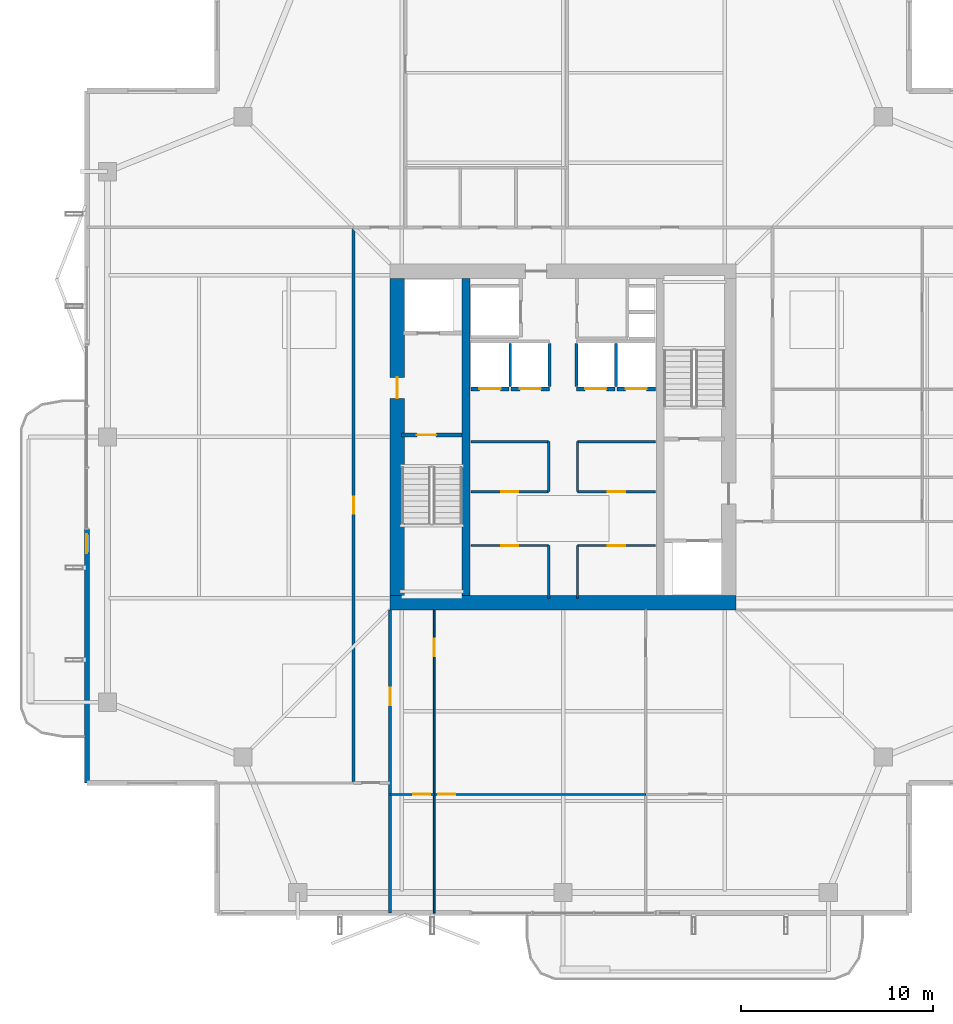
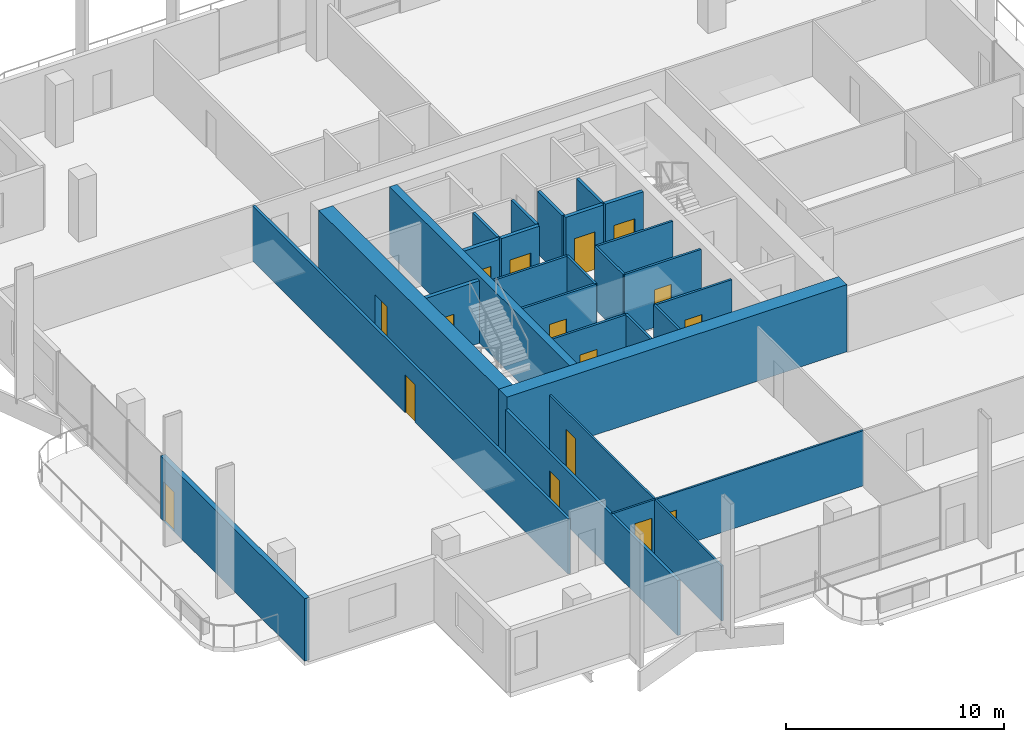
# One storey, part 18 of 25: 28 walls, 16 doors, 16 openings.
"""IFC4 building model written with IfcOpenShell, lengths in metres."""

from ifc_helpers import new_model, si_unit, direction, frame, frame_2d, origin, place, context, subcontext, project, spatial, rectangle, extrude, material, layer, layer_set, type_object, element, fill, save


model = new_model("IFC4")

# Units and contexts
model_context = context("Model", 3, precision=1e-05, world=origin(), true_north=direction((0.0, 1.0)))
body_context = subcontext(model_context, "Body", "Model", "MODEL_VIEW")
ifc_project = project(units=[si_unit("LENGTHUNIT", "METRE"), si_unit("AREAUNIT", "SQUARE_METRE"), si_unit("VOLUMEUNIT", "CUBIC_METRE"), si_unit("PLANEANGLEUNIT", "RADIAN"), si_unit("MASSUNIT", "GRAM", prefix="KILO")], contexts=[model_context])

# Site, building, storey
site_placement = place(None, origin())
site = spatial("IfcSite", under=ifc_project, at=site_placement, CompositionType="ELEMENT")
building_placement = place(site_placement, origin())
building = spatial("IfcBuilding", under=site, at=building_placement, Name="Belovzor Exchange Tower", CompositionType="ELEMENT")
storey_placement = place(building_placement, frame((0.0, 0.0, 250.35009765625)))
storey = spatial("IfcBuildingStorey", under=building, at=storey_placement, Name="L62", CompositionType="ELEMENT", Elevation=250.35009765625)

# Wall, opening, door
ifc_material_1 = material(Name="Acoustic Laminated Glass and Aluminium", Category="aluminium")
ifc_layer_1 = layer(ifc_material_1, 0.10009765625)
ifc_layer_set_1 = layer_set([ifc_layer_1], Name="Acoustic Laminated Glass and Aluminium")
wall_type_1 = type_object("IfcWallType", Name="Demountable Executive Glass Partition 100", PredefinedType="MOVABLE", material=ifc_layer_set_1)
wall_1_placement = place(storey_placement, frame((19.800048828125, 10.200927734375, 0.0), z_axis=(0.0, 0.0, 1.0), x_axis=(1.0, 0.0, 0.0)))
wall_1 = element("IfcWall", 1, at=wall_1_placement, inside=storey, type_object=wall_type_1, Name="W-M100 Partition Wall W-L62-SHDIV-0", PredefinedType="MOVABLE", context=body_context, shape_type="SweptSolid", body=[
    extrude(rectangle(XDim=2.300048828125, YDim=0.10009765625, at=frame_2d((1.14990234375, 0.0))), origin(), (0.0, 0.0, 1.0), 3.0849609375),
])
opening_1_placement = place(wall_1_placement, frame((1.199951171875, 0.0, 0.0)))
opening_1 = element("IfcOpeningElement", 2, at=opening_1_placement, cuts=wall_1, Name="Opening D-INT-090", PredefinedType="OPENING", context=body_context, shape_type="SweptSolid", body=[
    extrude(rectangle(XDim=0.89990234375, YDim=2.10009765625, at=frame_2d((0.449951171875, 1.050048828125))), frame((0.0, 0.06005859375, 0.0), z_axis=(0.0, -1.0, 0.0), x_axis=(1.0, 0.0, 0.0)), (0.0, 0.0, 1.0), 0.1201171875),
])
ifc_material_2 = material(Name="Veneered Hardwood Acoustic Leaf", Category="wood")
door_type_1 = type_object("IfcDoorType", Name="Trading Suite Acoustic Single Door 900x2100", OperationType="NOTDEFINED", PredefinedType="DOOR", material=ifc_material_2)
door_1_placement = place(opening_1_placement, origin())
door_1 = element("IfcDoor", 3, at=door_1_placement, inside=storey, type_object=door_type_1, Name="D-INT-090 Trading Suite Acoustic Single Door 900x2100", OperationType="SINGLE_SWING_LEFT", OverallHeight=2.10009765625, OverallWidth=0.89990234375, PredefinedType="DOOR", context=body_context, shape_type="SweptSolid", body=[
    extrude(rectangle(XDim=0.89990234375, YDim=2.10009765625, at=frame_2d((0.449951171875, 1.050048828125))), frame((0.0, 0.02490234375, 0.0), z_axis=(0.0, -1.0, 0.0), x_axis=(1.0, 0.0, 0.0)), (0.0, 0.0, 1.0), 0.050048828125),
])
fill(opening_1, door_1)

wall_2_placement = place(storey_placement, frame((22.10009765625, 4.030029296875, 0.0), z_axis=(0.0, 0.0, 1.0), x_axis=(0.0, 1.0, 0.0)))
wall_2 = element("IfcWall", 4, at=wall_2_placement, inside=storey, type_object=wall_type_1, Name="W-M100 Partition Wall W-L62-SDIV-1", PredefinedType="MOVABLE", context=body_context, shape_type="SweptSolid", body=[
    extrude(rectangle(XDim=15.77001953125, YDim=0.10009765625, at=frame_2d((7.885009765625, 0.0))), origin(), (0.0, 0.0, 1.0), 3.0849609375),
])
opening_2_placement = place(wall_2_placement, frame((13.3701171875, 0.0, 0.0)))
opening_2 = element("IfcOpeningElement", 5, at=opening_2_placement, cuts=wall_2, Name="Opening D-INT-090", PredefinedType="OPENING", context=body_context, shape_type="SweptSolid", body=[
    extrude(rectangle(XDim=0.89990234375, YDim=2.10009765625, at=frame_2d((0.449951171875, 1.050048828125))), frame((0.0, 0.06005859375, 0.0), z_axis=(0.0, -1.0, 0.0), x_axis=(1.0, 0.0, 0.0)), (0.0, 0.0, 1.0), 0.1201171875),
])
door_2_placement = place(opening_2_placement, origin())
door_2 = element("IfcDoor", 6, at=door_2_placement, inside=storey, type_object=door_type_1, Name="D-INT-090 Trading Suite Acoustic Single Door 900x2100", OperationType="SINGLE_SWING_LEFT", OverallHeight=2.10009765625, OverallWidth=0.89990234375, PredefinedType="DOOR", context=body_context, shape_type="SweptSolid", body=[
    extrude(rectangle(XDim=0.89990234375, YDim=2.10009765625, at=frame_2d((0.449951171875, 1.050048828125))), frame((0.0, 0.02490234375, 0.0), z_axis=(0.0, -1.0, 0.0), x_axis=(1.0, 0.0, 0.0)), (0.0, 0.0, 1.0), 0.050048828125),
])
fill(opening_2, door_2)

wall_3_placement = place(storey_placement, frame((22.10009765625, 10.200927734375, 0.0), z_axis=(0.0, 0.0, 1.0), x_axis=(1.0, 0.0, 0.0)))
wall_3 = element("IfcWall", 7, at=wall_3_placement, inside=storey, type_object=wall_type_1, Name="W-M100 Partition Wall W-L62-SHDIV-1", PredefinedType="MOVABLE", context=body_context, shape_type="SweptSolid", body=[
    extrude(rectangle(XDim=10.991943359375, YDim=0.10009765625, at=frame_2d((5.49609375, 0.0))), origin(), (0.0, 0.0, 1.0), 3.0849609375),
])
opening_3_placement = place(wall_3_placement, frame((0.199951171875, 0.0, 0.0)))
opening_3 = element("IfcOpeningElement", 8, at=opening_3_placement, cuts=wall_3, Name="Opening D-INT-090", PredefinedType="OPENING", context=body_context, shape_type="SweptSolid", body=[
    extrude(rectangle(XDim=0.89990234375, YDim=2.10009765625, at=frame_2d((0.449951171875, 1.050048828125))), frame((0.0, 0.06005859375, 0.0), z_axis=(0.0, -1.0, 0.0), x_axis=(1.0, 0.0, 0.0)), (0.0, 0.0, 1.0), 0.1201171875),
])
door_3_placement = place(opening_3_placement, origin())
door_3 = element("IfcDoor", 9, at=door_3_placement, inside=storey, type_object=door_type_1, Name="D-INT-090 Trading Suite Acoustic Single Door 900x2100", OperationType="SINGLE_SWING_LEFT", OverallHeight=2.10009765625, OverallWidth=0.89990234375, PredefinedType="DOOR", context=body_context, shape_type="SweptSolid", body=[
    extrude(rectangle(XDim=0.89990234375, YDim=2.10009765625, at=frame_2d((0.449951171875, 1.050048828125))), frame((0.0, 0.02490234375, 0.0), z_axis=(0.0, -1.0, 0.0), x_axis=(1.0, 0.0, 0.0)), (0.0, 0.0, 1.0), 0.050048828125),
])
fill(opening_3, door_3)

ifc_material_3 = material(Name="Fire-Rated Plasterboard on Galvanised Studs", Category="gypsum")
ifc_layer_2 = layer(ifc_material_3, 0.1201171875)
ifc_layer_set_2 = layer_set([ifc_layer_2], Name="Fire-Rated Plasterboard on Galvanised Studs")
wall_type_2 = type_object("IfcWallType", Name="Fire-Rated Double-Stud Partition Wall 120", PredefinedType="PARTITIONING", material=ifc_layer_set_2)
wall_4_placement = place(storey_placement, frame((24.0, 23.14990234375, 0.0), z_axis=(0.0, 0.0, 1.0), x_axis=(1.0, 0.0, 0.0)))
wall_4 = element("IfcWall", 10, at=wall_4_placement, inside=storey, type_object=wall_type_2, Name="W-P120F Partition Wall W-CRL-L62-WN", PredefinedType="PARTITIONING", context=body_context, shape_type="SweptSolid", body=[
    extrude(rectangle(XDim=4.050048828125, YDim=0.1201171875, at=frame_2d((2.02490234375, 0.0))), origin(), (0.0, 0.0, 1.0), 3.5),
])
opening_4_placement = place(wall_4_placement, frame((1.574951171875, 0.0, 0.0)))
opening_4 = element("IfcOpeningElement", 11, at=opening_4_placement, cuts=wall_4, Name="Opening D-FD60-090", PredefinedType="OPENING", context=body_context, shape_type="SweptSolid", body=[
    extrude(rectangle(XDim=0.89990234375, YDim=2.10009765625, at=frame_2d((0.449951171875, 1.050048828125))), frame((0.0, 0.070068359375, 0.0), z_axis=(0.0, -1.0, 0.0), x_axis=(1.0, 0.0, 0.0)), (0.0, 0.0, 1.0), 0.14013671875),
])
ifc_material_4 = material(Name="Acoustic Timber Fire Leaf", Category="wood")
door_type_2 = type_object("IfcDoorType", Name="Core Service & Restroom Fire Door 900x2100", OperationType="NOTDEFINED", PredefinedType="DOOR", material=ifc_material_4)
door_4_placement = place(opening_4_placement, origin())
door_4 = element("IfcDoor", 12, at=door_4_placement, inside=storey, type_object=door_type_2, Name="D-FD60-090 Core Service & Restroom Fire Door 900x2100", OperationType="SINGLE_SWING_LEFT", OverallHeight=2.10009765625, OverallWidth=0.89990234375, PredefinedType="DOOR", context=body_context, shape_type="SweptSolid", body=[
    extrude(rectangle(XDim=0.89990234375, YDim=2.10009765625, at=frame_2d((0.449951171875, 1.050048828125))), frame((0.0, 0.02490234375, 0.0), z_axis=(0.0, -1.0, 0.0), x_axis=(1.0, 0.0, 0.0)), (0.0, 0.0, 1.0), 0.050048828125),
])
fill(opening_4, door_4)

# Wall
wall_5_placement = place(storey_placement, frame((28.050048828125, 20.39990234375, 0.0), z_axis=(0.0, 0.0, 1.0), x_axis=(0.0, 1.0, 0.0)))
element("IfcWall", 13, at=wall_5_placement, inside=storey, type_object=wall_type_2, Name="W-P120F Partition Wall W-CRL-L62-WE", PredefinedType="PARTITIONING", context=body_context, shape_type="SweptSolid", body=[
    extrude(rectangle(XDim=2.75, YDim=0.1201171875, at=frame_2d((1.375, 0.0))), origin(), (0.0, 0.0, 1.0), 3.5),
])

# Wall, opening, door
wall_6_placement = place(storey_placement, frame((29.550048828125, 23.14990234375, 0.0), z_axis=(0.0, 0.0, 1.0), x_axis=(1.0, 0.0, 0.0)))
wall_6 = element("IfcWall", 14, at=wall_6_placement, inside=storey, type_object=wall_type_2, Name="W-P120F Partition Wall W-CRL-L62-EN", PredefinedType="PARTITIONING", context=body_context, shape_type="SweptSolid", body=[
    extrude(rectangle(XDim=4.050048828125, YDim=0.1201171875, at=frame_2d((2.02490234375, 0.0))), origin(), (0.0, 0.0, 1.0), 3.5),
])
opening_5_placement = place(wall_6_placement, frame((1.574951171875, 0.0, 0.0)))
opening_5 = element("IfcOpeningElement", 15, at=opening_5_placement, cuts=wall_6, Name="Opening D-FD60-090", PredefinedType="OPENING", context=body_context, shape_type="SweptSolid", body=[
    extrude(rectangle(XDim=0.89990234375, YDim=2.10009765625, at=frame_2d((0.449951171875, 1.050048828125))), frame((0.0, 0.070068359375, 0.0), z_axis=(0.0, -1.0, 0.0), x_axis=(1.0, 0.0, 0.0)), (0.0, 0.0, 1.0), 0.14013671875),
])
door_5_placement = place(opening_5_placement, origin())
door_5 = element("IfcDoor", 16, at=door_5_placement, inside=storey, type_object=door_type_2, Name="D-FD60-090 Core Service & Restroom Fire Door 900x2100", OperationType="SINGLE_SWING_RIGHT", OverallHeight=2.10009765625, OverallWidth=0.89990234375, PredefinedType="DOOR", context=body_context, shape_type="SweptSolid", body=[
    extrude(rectangle(XDim=0.89990234375, YDim=2.10009765625, at=frame_2d((0.449951171875, 1.050048828125))), frame((0.0, 0.02490234375, 0.0), z_axis=(0.0, -1.0, 0.0), x_axis=(1.0, 0.0, 0.0)), (0.0, 0.0, 1.0), 0.050048828125),
])
fill(opening_5, door_5)

# Wall
wall_7_placement = place(storey_placement, frame((29.550048828125, 20.39990234375, 0.0), z_axis=(0.0, 0.0, 1.0), x_axis=(0.0, 1.0, 0.0)))
element("IfcWall", 17, at=wall_7_placement, inside=storey, type_object=wall_type_2, Name="W-P120F Partition Wall W-CRL-L62-EW", PredefinedType="PARTITIONING", context=body_context, shape_type="SweptSolid", body=[
    extrude(rectangle(XDim=2.75, YDim=0.1201171875, at=frame_2d((1.375, 0.0))), origin(), (0.0, 0.0, 1.0), 3.5),
])

# Wall, opening, door
wall_8_placement = place(storey_placement, frame((24.0, 25.949951171875, 0.0), z_axis=(0.0, 0.0, 1.0), x_axis=(1.0, 0.0, 0.0)))
wall_8 = element("IfcWall", 18, at=wall_8_placement, inside=storey, type_object=wall_type_2, Name="W-P120F Partition Wall W-CRM-L62-WS", PredefinedType="PARTITIONING", context=body_context, shape_type="SweptSolid", body=[
    extrude(rectangle(XDim=4.050048828125, YDim=0.1201171875, at=frame_2d((2.02490234375, 0.0))), origin(), (0.0, 0.0, 1.0), 3.5),
])
opening_6_placement = place(wall_8_placement, frame((1.574951171875, 0.0, 0.0)))
opening_6 = element("IfcOpeningElement", 19, at=opening_6_placement, cuts=wall_8, Name="Opening D-FD60-090", PredefinedType="OPENING", context=body_context, shape_type="SweptSolid", body=[
    extrude(rectangle(XDim=0.89990234375, YDim=2.10009765625, at=frame_2d((0.449951171875, 1.050048828125))), frame((0.0, 0.070068359375, 0.0), z_axis=(0.0, -1.0, 0.0), x_axis=(1.0, 0.0, 0.0)), (0.0, 0.0, 1.0), 0.14013671875),
])
door_6_placement = place(opening_6_placement, origin())
door_6 = element("IfcDoor", 20, at=door_6_placement, inside=storey, type_object=door_type_2, Name="D-FD60-090 Core Service & Restroom Fire Door 900x2100", OperationType="SINGLE_SWING_LEFT", OverallHeight=2.10009765625, OverallWidth=0.89990234375, PredefinedType="DOOR", context=body_context, shape_type="SweptSolid", body=[
    extrude(rectangle(XDim=0.89990234375, YDim=2.10009765625, at=frame_2d((0.449951171875, 1.050048828125))), frame((0.0, 0.02490234375, 0.0), z_axis=(0.0, -1.0, 0.0), x_axis=(1.0, 0.0, 0.0)), (0.0, 0.0, 1.0), 0.050048828125),
])
fill(opening_6, door_6)

# Walls
wall_9_placement = place(storey_placement, frame((24.0, 28.550048828125, 0.0), z_axis=(0.0, 0.0, 1.0), x_axis=(1.0, 0.0, 0.0)))
element("IfcWall", 21, at=wall_9_placement, inside=storey, type_object=wall_type_2, Name="W-P120F Partition Wall W-CRM-L62-WN", PredefinedType="PARTITIONING", context=body_context, shape_type="SweptSolid", body=[
    extrude(rectangle(XDim=4.050048828125, YDim=0.1201171875, at=frame_2d((2.02490234375, 0.0))), origin(), (0.0, 0.0, 1.0), 3.5),
])
wall_10_placement = place(storey_placement, frame((28.050048828125, 25.949951171875, 0.0), z_axis=(0.0, 0.0, 1.0), x_axis=(0.0, 1.0, 0.0)))
element("IfcWall", 22, at=wall_10_placement, inside=storey, type_object=wall_type_2, Name="W-P120F Partition Wall W-CRM-L62-WE", PredefinedType="PARTITIONING", context=body_context, shape_type="SweptSolid", body=[
    extrude(rectangle(XDim=2.60009765625, YDim=0.1201171875, at=frame_2d((1.300048828125, 0.0))), origin(), (0.0, 0.0, 1.0), 3.5),
])

# Wall, opening, door
wall_11_placement = place(storey_placement, frame((29.550048828125, 25.949951171875, 0.0), z_axis=(0.0, 0.0, 1.0), x_axis=(1.0, 0.0, 0.0)))
wall_11 = element("IfcWall", 23, at=wall_11_placement, inside=storey, type_object=wall_type_2, Name="W-P120F Partition Wall W-CRM-L62-ES", PredefinedType="PARTITIONING", context=body_context, shape_type="SweptSolid", body=[
    extrude(rectangle(XDim=4.050048828125, YDim=0.1201171875, at=frame_2d((2.02490234375, 0.0))), origin(), (0.0, 0.0, 1.0), 3.5),
])
opening_7_placement = place(wall_11_placement, frame((1.574951171875, 0.0, 0.0)))
opening_7 = element("IfcOpeningElement", 24, at=opening_7_placement, cuts=wall_11, Name="Opening D-FD60-090", PredefinedType="OPENING", context=body_context, shape_type="SweptSolid", body=[
    extrude(rectangle(XDim=0.89990234375, YDim=2.10009765625, at=frame_2d((0.449951171875, 1.050048828125))), frame((0.0, 0.070068359375, 0.0), z_axis=(0.0, -1.0, 0.0), x_axis=(1.0, 0.0, 0.0)), (0.0, 0.0, 1.0), 0.14013671875),
])
door_7_placement = place(opening_7_placement, origin())
door_7 = element("IfcDoor", 25, at=door_7_placement, inside=storey, type_object=door_type_2, Name="D-FD60-090 Core Service & Restroom Fire Door 900x2100", OperationType="SINGLE_SWING_RIGHT", OverallHeight=2.10009765625, OverallWidth=0.89990234375, PredefinedType="DOOR", context=body_context, shape_type="SweptSolid", body=[
    extrude(rectangle(XDim=0.89990234375, YDim=2.10009765625, at=frame_2d((0.449951171875, 1.050048828125))), frame((0.0, 0.02490234375, 0.0), z_axis=(0.0, -1.0, 0.0), x_axis=(1.0, 0.0, 0.0)), (0.0, 0.0, 1.0), 0.050048828125),
])
fill(opening_7, door_7)

# Walls
wall_12_placement = place(storey_placement, frame((29.550048828125, 28.550048828125, 0.0), z_axis=(0.0, 0.0, 1.0), x_axis=(1.0, 0.0, 0.0)))
element("IfcWall", 26, at=wall_12_placement, inside=storey, type_object=wall_type_2, Name="W-P120F Partition Wall W-CRM-L62-EN", PredefinedType="PARTITIONING", context=body_context, shape_type="SweptSolid", body=[
    extrude(rectangle(XDim=4.050048828125, YDim=0.1201171875, at=frame_2d((2.02490234375, 0.0))), origin(), (0.0, 0.0, 1.0), 3.5),
])
wall_13_placement = place(storey_placement, frame((29.550048828125, 25.949951171875, 0.0), z_axis=(0.0, 0.0, 1.0), x_axis=(0.0, 1.0, 0.0)))
element("IfcWall", 27, at=wall_13_placement, inside=storey, type_object=wall_type_2, Name="W-P120F Partition Wall W-CRM-L62-EW", PredefinedType="PARTITIONING", context=body_context, shape_type="SweptSolid", body=[
    extrude(rectangle(XDim=2.60009765625, YDim=0.1201171875, at=frame_2d((1.300048828125, 0.0))), origin(), (0.0, 0.0, 1.0), 3.5),
])

# Wall, opening, door
ifc_material_5 = material(Name="Fire-Rated Gypsum Block and Mineral Wool", Category="gypsum")
ifc_layer_3 = layer(ifc_material_5, 0.14990234375)
ifc_layer_set_3 = layer_set([ifc_layer_3], Name="Fire-Rated Gypsum Block and Mineral Wool")
wall_type_3 = type_object("IfcWallType", Name="Fire-Rated Gypsum Block Corridor Wall 150", PredefinedType="PARTITIONING", material=ifc_layer_set_3)
wall_14_placement = place(storey_placement, frame((19.800048828125, 4.030029296875, 0.0), z_axis=(0.0, 0.0, 1.0), x_axis=(0.0, 1.0, 0.0)))
wall_14 = element("IfcWall", 28, at=wall_14_placement, inside=storey, type_object=wall_type_3, Name="W-P150 Partition Wall W-L62-CW-E", PredefinedType="PARTITIONING", context=body_context, shape_type="SweptSolid", body=[
    extrude(rectangle(XDim=15.77001953125, YDim=0.14990234375, at=frame_2d((7.885009765625, 0.0))), origin(), (0.0, 0.0, 1.0), 3.0849609375),
])
opening_8_placement = place(wall_14_placement, frame((10.820068359375, 0.0, 0.0)))
opening_8 = element("IfcOpeningElement", 29, at=opening_8_placement, cuts=wall_14, Name="Opening D-FD60-090", PredefinedType="OPENING", context=body_context, shape_type="SweptSolid", body=[
    extrude(rectangle(XDim=0.89990234375, YDim=2.10009765625, at=frame_2d((0.449951171875, 1.050048828125))), frame((0.0, 0.0849609375, 0.0), z_axis=(0.0, -1.0, 0.0), x_axis=(1.0, 0.0, 0.0)), (0.0, 0.0, 1.0), 0.169921875),
])
door_8_placement = place(opening_8_placement, origin())
door_8 = element("IfcDoor", 30, at=door_8_placement, inside=storey, type_object=door_type_2, Name="D-FD60-090 Core Service & Restroom Fire Door 900x2100", OperationType="SINGLE_SWING_RIGHT", OverallHeight=2.10009765625, OverallWidth=0.89990234375, PredefinedType="DOOR", context=body_context, shape_type="SweptSolid", body=[
    extrude(rectangle(XDim=0.89990234375, YDim=2.10009765625, at=frame_2d((0.449951171875, 1.050048828125))), frame((0.0, 0.02490234375, 0.0), z_axis=(0.0, -1.0, 0.0), x_axis=(1.0, 0.0, 0.0)), (0.0, 0.0, 1.0), 0.050048828125),
])
fill(opening_8, door_8)

wall_15_placement = place(storey_placement, frame((17.89990234375, 10.800048828125, 0.0), z_axis=(0.0, 0.0, 1.0), x_axis=(0.0, 1.0, 0.0)))
wall_15 = element("IfcWall", 31, at=wall_15_placement, inside=storey, type_object=wall_type_3, Name="W-P150 Partition Wall W-L62-CW", PredefinedType="PARTITIONING", context=body_context, shape_type="SweptSolid", body=[
    extrude(rectangle(XDim=28.89990234375, YDim=0.14990234375, at=frame_2d((14.449951171875, 0.0))), origin(), (0.0, 0.0, 1.0), 3.0849609375),
])
opening_9_placement = place(wall_15_placement, frame((14.0, 0.0, 0.0)))
opening_9 = element("IfcOpeningElement", 32, at=opening_9_placement, cuts=wall_15, Name="Opening D-INT-090", PredefinedType="OPENING", context=body_context, shape_type="SweptSolid", body=[
    extrude(rectangle(XDim=0.89990234375, YDim=2.10009765625, at=frame_2d((0.449951171875, 1.050048828125))), frame((0.0, 0.0849609375, 0.0), z_axis=(0.0, -1.0, 0.0), x_axis=(1.0, 0.0, 0.0)), (0.0, 0.0, 1.0), 0.169921875),
])
door_9_placement = place(opening_9_placement, origin())
door_9 = element("IfcDoor", 33, at=door_9_placement, inside=storey, type_object=door_type_1, Name="D-INT-090 Trading Suite Acoustic Single Door 900x2100", OperationType="SINGLE_SWING_LEFT", OverallHeight=2.10009765625, OverallWidth=0.89990234375, PredefinedType="DOOR", context=body_context, shape_type="SweptSolid", body=[
    extrude(rectangle(XDim=0.89990234375, YDim=2.10009765625, at=frame_2d((0.449951171875, 1.050048828125))), frame((0.0, 0.02490234375, 0.0), z_axis=(0.0, -1.0, 0.0), x_axis=(1.0, 0.0, 0.0)), (0.0, 0.0, 1.0), 0.050048828125),
])
fill(opening_9, door_9)

ifc_material_6 = material(Name="Precast concrete C40/50", Category="concrete")
ifc_layer_4 = layer(ifc_material_6, 0.260009765625)
ifc_layer_set_4 = layer_set([ifc_layer_4], Name="Precast concrete C40/50")
wall_type_4 = type_object("IfcWallType", Name="Precast Concrete Perimeter Loggia Frame Wall 260", PredefinedType="SOLIDWALL", material=ifc_layer_set_4)
wall_16_placement = place(storey_placement, frame((4.030029296875, 10.800048828125, 0.0), z_axis=(0.0, 0.0, 1.0), x_axis=(0.0, 1.0, 0.0)))
wall_16 = element("IfcWall", 34, at=wall_16_placement, inside=storey, type_object=wall_type_4, Name="W-EXT260 Precast Concrete Perimeter Loggia Frame Wall 260 L62", PredefinedType="SOLIDWALL", context=body_context, shape_type="SweptSolid", body=[
    extrude(rectangle(XDim=13.199951171875, YDim=0.260009765625, at=frame_2d((6.60009765625, 0.0))), origin(), (0.0, 0.0, 1.0), 3.5),
])
opening_10_placement = place(wall_16_placement, frame((11.949951171875, 0.0, 0.0)))
opening_10 = element("IfcOpeningElement", 35, at=opening_10_placement, cuts=wall_16, Name="Opening D-BAL100", PredefinedType="OPENING", context=body_context, shape_type="SweptSolid", body=[
    extrude(rectangle(XDim=1.0, YDim=2.199951171875, at=frame_2d((0.5, 1.10009765625))), frame((0.0, 0.139892578125, 0.0), z_axis=(0.0, -1.0, 0.0), x_axis=(1.0, 0.0, 0.0)), (0.0, 0.0, 1.0), 0.280029296875),
])
ifc_material_7 = material(Name="Thermally Broken Anodised Aluminium and Laminated Glass", Category="aluminium")
door_type_3 = type_object("IfcDoorType", Name="Planted Loggia Terrace Glazed Door 1000x2200", OperationType="SINGLE_SWING_LEFT", PredefinedType="DOOR", material=ifc_material_7)
door_10_placement = place(opening_10_placement, origin())
door_10 = element("IfcDoor", 36, at=door_10_placement, inside=storey, type_object=door_type_3, Name="D-BAL100 Balcony Terrace Door L62 W", OperationType="SINGLE_SWING_RIGHT", OverallHeight=2.199951171875, OverallWidth=1.0, PredefinedType="DOOR", context=body_context, shape_type="SweptSolid", body=[
    extrude(rectangle(XDim=1.0, YDim=2.199951171875, at=frame_2d((0.5, 1.10009765625))), frame((0.0, 0.02490234375, 0.0), z_axis=(0.0, -1.0, 0.0), x_axis=(1.0, 0.0, 0.0)), (0.0, 0.0, 1.0), 0.050048828125),
])
fill(opening_10, door_10)

# Walls
ifc_material_8 = material(Name="Concrete C50/60", Category="concrete")
ifc_layer_5 = layer(ifc_material_8, 0.39990234375)
ifc_layer_set_5 = layer_set([ifc_layer_5], Name="Concrete C50/60")
wall_type_5 = type_object("IfcWallType", Name="Reinforced Concrete Core Internal Web Wall 400", PredefinedType="SHEAR", material=ifc_layer_set_5)
wall_17_placement = place(storey_placement, frame((23.75, 20.550048828125, 0.0), z_axis=(0.0, 0.0, 1.0), x_axis=(0.0, 1.0, 0.0)))
element("IfcWall", 37, at=wall_17_placement, inside=storey, type_object=wall_type_5, Name="CW-W040 Core Internal Web Wall L62 WL", PredefinedType="SHEAR", context=body_context, shape_type="SweptSolid", body=[
    extrude(rectangle(XDim=16.5, YDim=0.39990234375, at=frame_2d((8.25, 0.0))), origin(), (0.0, 0.0, 1.0), 3.75),
])
ifc_material_9 = material(Name="Concrete C50/60", Category="concrete")
ifc_layer_6 = layer(ifc_material_9, 0.14990234375)
ifc_layer_set_6 = layer_set([ifc_layer_6], Name="Concrete C50/60")
wall_type_6 = type_object("IfcWallType", Name="Reinforced Concrete Core Riser Shear Wall 150", PredefinedType="SHEAR", material=ifc_layer_set_6)
for number, where, z_axis, x_axis, name in (
    (38, (26.050048828125, 31.419921875, 0.0), (0.0, 0.0, 1.0), (0.0, 1.0, 0.0), "W-C150S Core Shaft Wall W-SHD-L62-PLH-1"),
    (39, (28.10009765625, 31.419921875, 0.0), (0.0, 0.0, 1.0), (0.0, 1.0, 0.0), "W-C150S Core Shaft Wall W-SHD-L62-PLH-2"),
    (40, (29.5, 31.419921875, 0.0), (0.0, 0.0, 1.0), (0.0, 1.0, 0.0), "W-C150S Core Shaft Wall W-SHD-L62-PLH-3"),
    (41, (31.550048828125, 31.419921875, 0.0), (0.0, 0.0, 1.0), (0.0, 1.0, 0.0), "W-C150S Core Shaft Wall W-SHD-L62-PLH-4"),
):
    element("IfcWall", number, at=place(storey_placement, frame(where, z_axis=z_axis, x_axis=x_axis)), inside=storey, type_object=wall_type_6, Name=name, PredefinedType="SHEAR", context=body_context, shape_type="SweptSolid", body=[
        extrude(rectangle(XDim=2.239990234375, YDim=0.14990234375, at=frame_2d((1.1201171875, 0.0))), origin(), (0.0, 0.0, 1.0), 3.5),
    ])

# Wall, opening, door
ifc_material_10 = material(Name="Concrete C50/60", Category="concrete")
ifc_layer_7 = layer(ifc_material_10, 0.199951171875)
ifc_layer_set_7 = layer_set([ifc_layer_7], Name="Concrete C50/60")
wall_type_7 = type_object("IfcWallType", Name="Reinforced Concrete Core Shaft Shear Wall 200", PredefinedType="SHEAR", material=ifc_layer_set_7)
wall_18_placement = place(storey_placement, frame((20.39990234375, 28.89990234375, 0.0), z_axis=(0.0, 0.0, 1.0), x_axis=(1.0, 0.0, 0.0)))
wall_18 = element("IfcWall", 42, at=wall_18_placement, inside=storey, type_object=wall_type_7, Name="W-C200S Core Shaft Wall W-CORE-L62-FFLW1", PredefinedType="SHEAR", context=body_context, shape_type="SweptSolid", body=[
    extrude(rectangle(XDim=3.150146484375, YDim=0.199951171875, at=frame_2d((1.5751953125, 0.0))), origin(), (0.0, 0.0, 1.0), 3.5),
])
opening_11_placement = place(wall_18_placement, frame((0.800048828125, 0.0, 0.0)))
opening_11 = element("IfcOpeningElement", 43, at=opening_11_placement, cuts=wall_18, Name="Opening D-FD90-100", PredefinedType="OPENING", context=body_context, shape_type="SweptSolid", body=[
    extrude(rectangle(XDim=1.0, YDim=2.10009765625, at=frame_2d((0.5, 1.050048828125))), frame((0.0, 0.10986328125, 0.0), z_axis=(0.0, -1.0, 0.0), x_axis=(1.0, 0.0, 0.0)), (0.0, 0.0, 1.0), 0.219970703125),
])
ifc_material_11 = material(Name="Fire-Rated Galvanised Steel Leaf", Category="steel")
door_type_4 = type_object("IfcDoorType", Name="Protected Stairwell Single Fire Door 1000x2100", OperationType="NOTDEFINED", PredefinedType="DOOR", material=ifc_material_11)
door_11_placement = place(opening_11_placement, origin())
door_11 = element("IfcDoor", 44, at=door_11_placement, inside=storey, type_object=door_type_4, Name="D-FD90-100 Protected Stairwell Single Fire Door 1000x2100", OperationType="SINGLE_SWING_RIGHT", OverallHeight=2.10009765625, OverallWidth=1.0, PredefinedType="DOOR", context=body_context, shape_type="SweptSolid", body=[
    extrude(rectangle(XDim=1.0, YDim=2.10009765625, at=frame_2d((0.5, 1.050048828125))), frame((0.0, 0.02490234375, 0.0), z_axis=(0.0, -1.0, 0.0), x_axis=(1.0, 0.0, 0.0)), (0.0, 0.0, 1.0), 0.050048828125),
])
fill(opening_11, door_11)

wall_19_placement = place(storey_placement, frame((24.0, 31.300048828125, 0.0), z_axis=(0.0, 0.0, 1.0), x_axis=(1.0, 0.0, 0.0)))
wall_19 = element("IfcWall", 45, at=wall_19_placement, inside=storey, type_object=wall_type_7, Name="W-C200S Core Shaft Wall W-SH-L62-PL-H1", PredefinedType="SHEAR", context=body_context, shape_type="SweptSolid", body=[
    extrude(rectangle(XDim=2.0, YDim=0.199951171875, at=frame_2d((1.0, 0.0))), origin(), (0.0, 0.0, 1.0), 3.5),
])
opening_12_placement = place(wall_19_placement, frame((0.449951171875, 0.0, 0.0)))
opening_12 = element("IfcOpeningElement", 46, at=opening_12_placement, cuts=wall_19, Name="Opening LD-110", PredefinedType="OPENING", context=body_context, shape_type="SweptSolid", body=[
    extrude(rectangle(XDim=1.10009765625, YDim=2.14990234375, at=frame_2d((0.550048828125, 1.074951171875))), frame((0.0, 0.10986328125, 0.0), z_axis=(0.0, -1.0, 0.0), x_axis=(1.0, 0.0, 0.0)), (0.0, 0.0, 1.0), 0.219970703125),
])
ifc_material_12 = material(Name="Stainless Steel Grade 304", Category="steel")
door_type_5 = type_object("IfcDoorType", Name="Automated Stainless Steel Lift Landing Door 1100x2150", OperationType="SLIDING_TO_RIGHT", PredefinedType="DOOR", material=ifc_material_12)
door_12_placement = place(opening_12_placement, origin())
door_12 = element("IfcDoor", 47, at=door_12_placement, inside=storey, type_object=door_type_5, Name="LD-110 Automated Stainless Steel Lift Landing Door 1100x2150", OperationType="SLIDING_TO_RIGHT", OverallHeight=2.14990234375, OverallWidth=1.10009765625, PredefinedType="DOOR", context=body_context, shape_type="SweptSolid", body=[
    extrude(rectangle(XDim=1.10009765625, YDim=2.14990234375, at=frame_2d((0.550048828125, 1.074951171875))), frame((0.0, 0.02490234375, 0.0), z_axis=(0.0, -1.0, 0.0), x_axis=(1.0, 0.0, 0.0)), (0.0, 0.0, 1.0), 0.050048828125),
])
fill(opening_12, door_12)

wall_20_placement = place(storey_placement, frame((26.10009765625, 31.300048828125, 0.0), z_axis=(0.0, 0.0, 1.0), x_axis=(1.0, 0.0, 0.0)))
wall_20 = element("IfcWall", 48, at=wall_20_placement, inside=storey, type_object=wall_type_7, Name="W-C200S Core Shaft Wall W-SH-L62-PL-H2", PredefinedType="SHEAR", context=body_context, shape_type="SweptSolid", body=[
    extrude(rectangle(XDim=2.0, YDim=0.199951171875, at=frame_2d((1.0, 0.0))), origin(), (0.0, 0.0, 1.0), 3.5),
])
opening_13_placement = place(wall_20_placement, frame((0.449951171875, 0.0, 0.0)))
opening_13 = element("IfcOpeningElement", 49, at=opening_13_placement, cuts=wall_20, Name="Opening LD-110", PredefinedType="OPENING", context=body_context, shape_type="SweptSolid", body=[
    extrude(rectangle(XDim=1.10009765625, YDim=2.14990234375, at=frame_2d((0.550048828125, 1.074951171875))), frame((0.0, 0.10986328125, 0.0), z_axis=(0.0, -1.0, 0.0), x_axis=(1.0, 0.0, 0.0)), (0.0, 0.0, 1.0), 0.219970703125),
])
door_13_placement = place(opening_13_placement, origin())
door_13 = element("IfcDoor", 50, at=door_13_placement, inside=storey, type_object=door_type_5, Name="LD-110 Automated Stainless Steel Lift Landing Door 1100x2150", OperationType="SLIDING_TO_RIGHT", OverallHeight=2.14990234375, OverallWidth=1.10009765625, PredefinedType="DOOR", context=body_context, shape_type="SweptSolid", body=[
    extrude(rectangle(XDim=1.10009765625, YDim=2.14990234375, at=frame_2d((0.550048828125, 1.074951171875))), frame((0.0, 0.02490234375, 0.0), z_axis=(0.0, -1.0, 0.0), x_axis=(1.0, 0.0, 0.0)), (0.0, 0.0, 1.0), 0.050048828125),
])
fill(opening_13, door_13)

wall_21_placement = place(storey_placement, frame((29.5, 31.300048828125, 0.0), z_axis=(0.0, 0.0, 1.0), x_axis=(1.0, 0.0, 0.0)))
wall_21 = element("IfcWall", 51, at=wall_21_placement, inside=storey, type_object=wall_type_7, Name="W-C200S Core Shaft Wall W-SH-L62-PL-H3", PredefinedType="SHEAR", context=body_context, shape_type="SweptSolid", body=[
    extrude(rectangle(XDim=2.0, YDim=0.199951171875, at=frame_2d((1.0, 0.0))), origin(), (0.0, 0.0, 1.0), 3.5),
])
opening_14_placement = place(wall_21_placement, frame((0.449951171875, 0.0, 0.0)))
opening_14 = element("IfcOpeningElement", 52, at=opening_14_placement, cuts=wall_21, Name="Opening LD-110", PredefinedType="OPENING", context=body_context, shape_type="SweptSolid", body=[
    extrude(rectangle(XDim=1.10009765625, YDim=2.14990234375, at=frame_2d((0.550048828125, 1.074951171875))), frame((0.0, 0.10986328125, 0.0), z_axis=(0.0, -1.0, 0.0), x_axis=(1.0, 0.0, 0.0)), (0.0, 0.0, 1.0), 0.219970703125),
])
door_14_placement = place(opening_14_placement, origin())
door_14 = element("IfcDoor", 53, at=door_14_placement, inside=storey, type_object=door_type_5, Name="LD-110 Automated Stainless Steel Lift Landing Door 1100x2150", OperationType="SLIDING_TO_RIGHT", OverallHeight=2.14990234375, OverallWidth=1.10009765625, PredefinedType="DOOR", context=body_context, shape_type="SweptSolid", body=[
    extrude(rectangle(XDim=1.10009765625, YDim=2.14990234375, at=frame_2d((0.550048828125, 1.074951171875))), frame((0.0, 0.02490234375, 0.0), z_axis=(0.0, -1.0, 0.0), x_axis=(1.0, 0.0, 0.0)), (0.0, 0.0, 1.0), 0.050048828125),
])
fill(opening_14, door_14)

wall_22_placement = place(storey_placement, frame((31.60009765625, 31.300048828125, 0.0), z_axis=(0.0, 0.0, 1.0), x_axis=(1.0, 0.0, 0.0)))
wall_22 = element("IfcWall", 54, at=wall_22_placement, inside=storey, type_object=wall_type_7, Name="W-C200S Core Shaft Wall W-SH-L62-PL-H4", PredefinedType="SHEAR", context=body_context, shape_type="SweptSolid", body=[
    extrude(rectangle(XDim=2.0, YDim=0.199951171875, at=frame_2d((1.0, 0.0))), origin(), (0.0, 0.0, 1.0), 3.5),
])
opening_15_placement = place(wall_22_placement, frame((0.449951171875, 0.0, 0.0)))
opening_15 = element("IfcOpeningElement", 55, at=opening_15_placement, cuts=wall_22, Name="Opening LD-110", PredefinedType="OPENING", context=body_context, shape_type="SweptSolid", body=[
    extrude(rectangle(XDim=1.10009765625, YDim=2.14990234375, at=frame_2d((0.550048828125, 1.074951171875))), frame((0.0, 0.10986328125, 0.0), z_axis=(0.0, -1.0, 0.0), x_axis=(1.0, 0.0, 0.0)), (0.0, 0.0, 1.0), 0.219970703125),
])
door_15_placement = place(opening_15_placement, origin())
door_15 = element("IfcDoor", 56, at=door_15_placement, inside=storey, type_object=door_type_5, Name="LD-110 Automated Stainless Steel Lift Landing Door 1100x2150", OperationType="SLIDING_TO_RIGHT", OverallHeight=2.14990234375, OverallWidth=1.10009765625, PredefinedType="DOOR", context=body_context, shape_type="SweptSolid", body=[
    extrude(rectangle(XDim=1.10009765625, YDim=2.14990234375, at=frame_2d((0.550048828125, 1.074951171875))), frame((0.0, 0.02490234375, 0.0), z_axis=(0.0, -1.0, 0.0), x_axis=(1.0, 0.0, 0.0)), (0.0, 0.0, 1.0), 0.050048828125),
])
fill(opening_15, door_15)

# Wall
ifc_material_13 = material(Name="Concrete C50/60", Category="concrete")
ifc_layer_8 = layer(ifc_material_13, 0.75)
ifc_layer_set_8 = layer_set([ifc_layer_8], Name="Concrete C50/60")
wall_type_8 = type_object("IfcWallType", Name="Reinforced Concrete Core Shear Wall 750", PredefinedType="SHEAR", material=ifc_layer_set_8)
wall_23_placement = place(storey_placement, frame((19.800048828125, 20.175048828125, 0.0), z_axis=(0.0, 0.0, 1.0), x_axis=(1.0, 0.0, 0.0)))
element("IfcWall", 57, at=wall_23_placement, inside=storey, type_object=wall_type_8, Name="CW-S075 Core Shear Wall L62 S", PredefinedType="SHEAR", context=body_context, shape_type="SweptSolid", body=[
    extrude(rectangle(XDim=18.0, YDim=0.75, at=frame_2d((9.0, 0.0))), origin(), (0.0, 0.0, 1.0), 3.75),
])

# Wall, opening, door
wall_24_placement = place(storey_placement, frame((20.175048828125, 20.550048828125, 0.0), z_axis=(0.0, 0.0, 1.0), x_axis=(0.0, 1.0, 0.0)))
wall_24 = element("IfcWall", 58, at=wall_24_placement, inside=storey, type_object=wall_type_8, Name="CW-S075 Core Shear Wall L62 W", PredefinedType="SHEAR", context=body_context, shape_type="SweptSolid", body=[
    extrude(rectangle(XDim=16.5, YDim=0.75, at=frame_2d((8.25, 0.0))), origin(), (0.0, 0.0, 1.0), 3.75),
])
opening_16_placement = place(wall_24_placement, frame((10.25, 0.0, 0.0)))
opening_16 = element("IfcOpeningElement", 59, at=opening_16_placement, cuts=wall_24, Name="Opening D-FD90-110", PredefinedType="OPENING", context=body_context, shape_type="SweptSolid", body=[
    extrude(rectangle(XDim=1.10009765625, YDim=2.14990234375, at=frame_2d((0.550048828125, 1.074951171875))), frame((0.0, 0.385009765625, 0.0), z_axis=(0.0, -1.0, 0.0), x_axis=(1.0, 0.0, 0.0)), (0.0, 0.0, 1.0), 0.77001953125),
])
ifc_material_14 = material(Name="Fire-Rated Galvanised Steel Leaf", Category="steel")
door_type_6 = type_object("IfcDoorType", Name="Protected Escape Vestibule Fire Door 1100x2150", OperationType="NOTDEFINED", PredefinedType="DOOR", material=ifc_material_14)
door_16_placement = place(opening_16_placement, origin())
door_16 = element("IfcDoor", 60, at=door_16_placement, inside=storey, type_object=door_type_6, Name="D-FD90-110 Protected Escape Vestibule Fire Door 1100x2150", OperationType="SINGLE_SWING_LEFT", OverallHeight=2.14990234375, OverallWidth=1.10009765625, PredefinedType="DOOR", context=body_context, shape_type="SweptSolid", body=[
    extrude(rectangle(XDim=1.10009765625, YDim=2.14990234375, at=frame_2d((0.550048828125, 1.074951171875))), frame((0.0, 0.02490234375, 0.0), z_axis=(0.0, -1.0, 0.0), x_axis=(1.0, 0.0, 0.0)), (0.0, 0.0, 1.0), 0.050048828125),
])
fill(opening_16, door_16)

save(model, "model.ifc")
